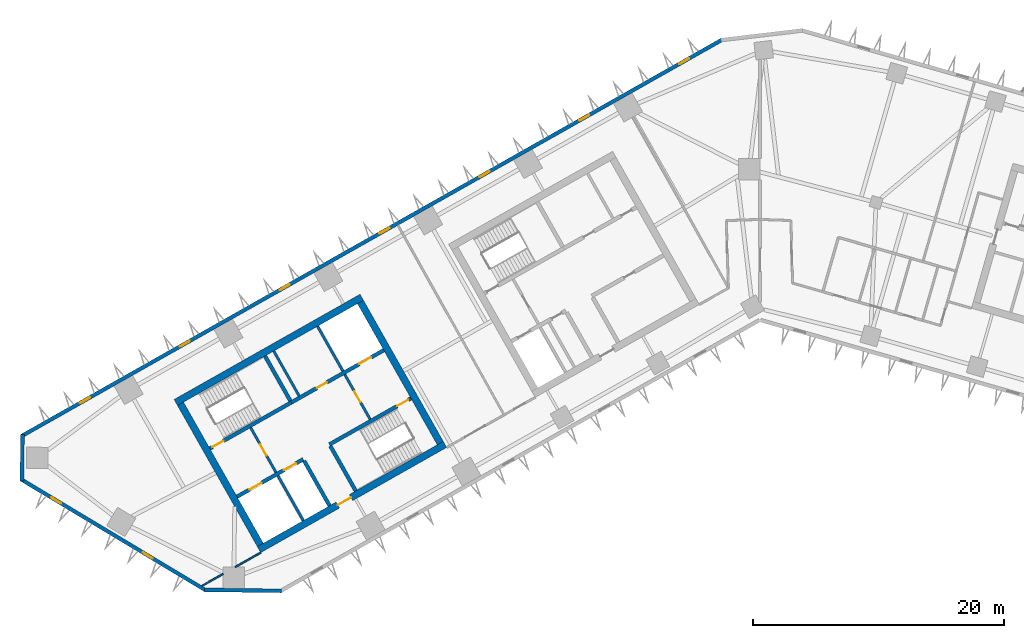
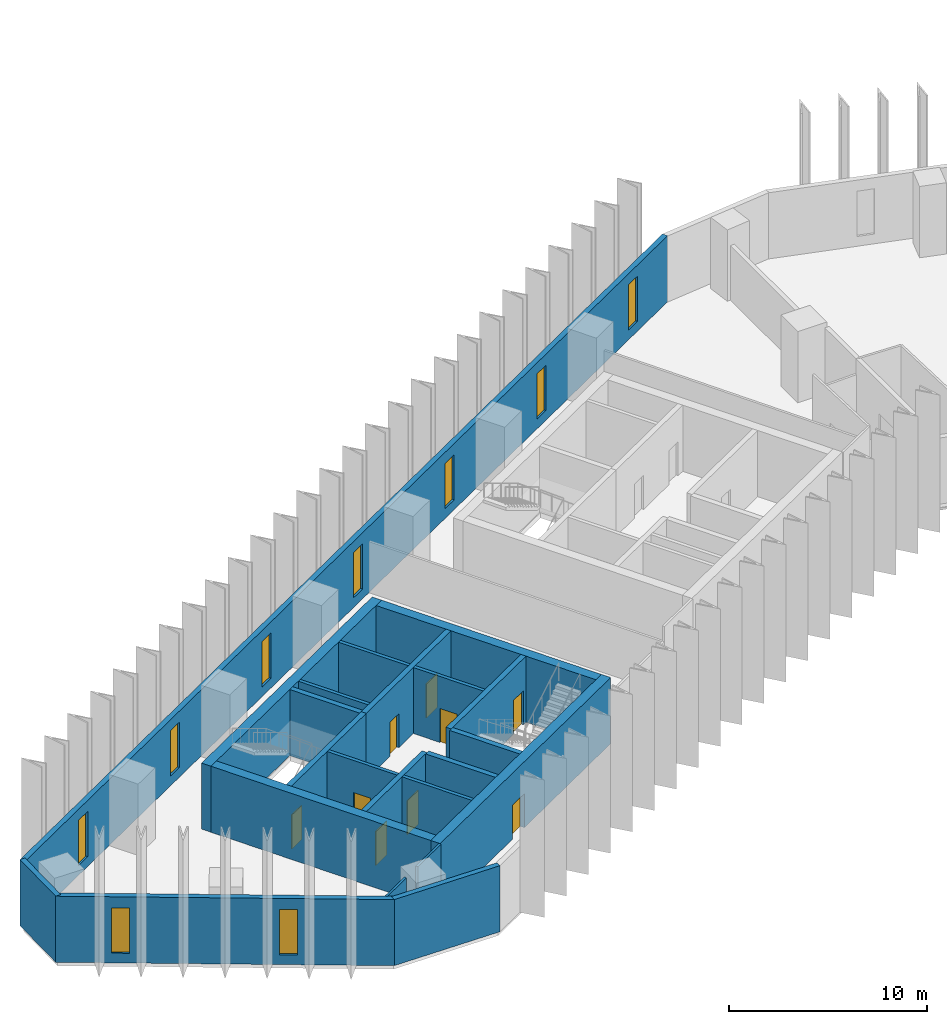
# One storey, part 3 of 11: 22 walls, 9 doors, 9 windows, 18 openings.
"""IFC4 building model written with IfcOpenShell, lengths in metres."""

from ifc_helpers import new_model, si_unit, direction, frame, frame_2d, origin, place, context, subcontext, project, spatial, rectangle, extrude, material, layer, layer_set, type_object, element, fill, save


model = new_model("IFC4")

# Units and contexts
model_context = context("Model", 3, precision=1e-05, world=origin(), true_north=direction((0.0, 1.0)))
body_context = subcontext(model_context, "Body", "Model", "MODEL_VIEW")
ifc_project = project(units=[si_unit("LENGTHUNIT", "METRE"), si_unit("AREAUNIT", "SQUARE_METRE"), si_unit("VOLUMEUNIT", "CUBIC_METRE"), si_unit("PLANEANGLEUNIT", "RADIAN"), si_unit("MASSUNIT", "GRAM", prefix="KILO")], contexts=[model_context])

# Site, building, storey
site_placement = place(None, origin())
site = spatial("IfcSite", under=ifc_project, at=site_placement, CompositionType="ELEMENT")
building_placement = place(site_placement, origin())
building = spatial("IfcBuilding", under=site, at=building_placement, Name="Binnacle Exchange Tower", CompositionType="ELEMENT")
storey_placement = place(building_placement, frame((0.0, 0.0, 105.89990234375)))
storey = spatial("IfcBuildingStorey", under=building, at=storey_placement, Name="L21", CompositionType="ELEMENT", Elevation=105.89990234375)

# Wall, openings, doors
ifc_material_1 = material(Name="Concrete C70/85", Category="concrete")
ifc_layer_1 = layer(ifc_material_1, 0.300048828125)
ifc_layer_set_1 = layer_set([ifc_layer_1], Name="Core wall - front 300")
wall_type_1 = type_object("IfcWallType", Name="Core wall - front 300", PredefinedType="SOLIDWALL", material=ifc_layer_set_1)
wall_1_placement = place(storey_placement, frame((-41.599609375, 33.936279296875, 0.0), z_axis=(0.0, 0.0, 1.0), x_axis=(0.870348557882, 0.492436176365, 0.0)))
wall_1 = element("IfcWall", 1, at=wall_1_placement, inside=storey, type_object=wall_type_1, Name="Core wall CRWA2", PredefinedType="SOLIDWALL", context=body_context, shape_type="SweptSolid", body=[
    extrude(rectangle(XDim=6.050048828125, YDim=0.300048828125, at=frame_2d((3.02490234375, 0.0))), origin(), (0.0, 0.0, 1.0), 4.080078125),
])
opening_1_placement = place(wall_1_placement, frame((1.14990234375, 0.0, 0.0)))
opening_1 = element("IfcOpeningElement", 2, at=opening_1_placement, cuts=wall_1, Name="Opening LD12", PredefinedType="OPENING", context=body_context, shape_type="SweptSolid", body=[
    extrude(rectangle(XDim=1.10009765625, YDim=2.10009765625, at=frame_2d((0.550048828125, 1.050048828125))), frame((0.0, 0.159912109375, 0.0), z_axis=(0.0, -1.0, 0.0), x_axis=(1.0, 0.0, 0.0)), (0.0, 0.0, 1.0), 0.320068359375),
])
opening_2_placement = place(wall_1_placement, frame((4.300048828125, 0.0, 0.0)))
opening_2 = element("IfcOpeningElement", 3, at=opening_2_placement, cuts=wall_1, Name="Opening LD8", PredefinedType="OPENING", context=body_context, shape_type="SweptSolid", body=[
    extrude(rectangle(XDim=1.10009765625, YDim=2.10009765625, at=frame_2d((0.550048828125, 1.050048828125))), frame((0.0, 0.159912109375, 0.0), z_axis=(0.0, -1.0, 0.0), x_axis=(1.0, 0.0, 0.0)), (0.0, 0.0, 1.0), 0.320068359375),
])
ifc_material_2 = material(Name="Steel door leaf", Category="steel")
door_type_1 = type_object("IfcDoorType", Name="Fire door - lift landing 1100", OperationType="NOTDEFINED", PredefinedType="DOOR", material=ifc_material_2)
door_1_placement = place(opening_1_placement, origin())
door_1 = element("IfcDoor", 4, at=door_1_placement, inside=storey, type_object=door_type_1, Name="Landing door LD12 L21", OperationType="DOUBLE_DOOR_SLIDING", OverallHeight=2.10009765625, OverallWidth=1.10009765625, PredefinedType="DOOR", context=body_context, shape_type="SweptSolid", body=[
    extrude(rectangle(XDim=1.10009765625, YDim=2.10009765625, at=frame_2d((0.550048828125, 1.050048828125))), frame((0.0, 0.02490234375, 0.0), z_axis=(0.0, -1.0, 0.0), x_axis=(1.0, 0.0, 0.0)), (0.0, 0.0, 1.0), 0.050048828125),
])
fill(opening_1, door_1)
door_2_placement = place(opening_2_placement, origin())
door_2 = element("IfcDoor", 5, at=door_2_placement, inside=storey, type_object=door_type_1, Name="Landing door LD8 L21", OperationType="DOUBLE_DOOR_SLIDING", OverallHeight=2.10009765625, OverallWidth=1.10009765625, PredefinedType="DOOR", context=body_context, shape_type="SweptSolid", body=[
    extrude(rectangle(XDim=1.10009765625, YDim=2.10009765625, at=frame_2d((0.550048828125, 1.050048828125))), frame((0.0, 0.02490234375, 0.0), z_axis=(0.0, -1.0, 0.0), x_axis=(1.0, 0.0, 0.0)), (0.0, 0.0, 1.0), 0.050048828125),
])
fill(opening_2, door_2)

wall_2_placement = place(storey_placement, frame((-37.281982421875, 41.4345703125, 0.0), z_axis=(0.0, 0.0, 1.0), x_axis=(0.870359895813, 0.492416136779, 0.0)))
wall_2 = element("IfcWall", 6, at=wall_2_placement, inside=storey, type_object=wall_type_1, Name="Core wall CRWA5", PredefinedType="SOLIDWALL", context=body_context, shape_type="SweptSolid", body=[
    extrude(rectangle(XDim=8.449951171875, YDim=0.300048828125, at=frame_2d((4.22509765625, 0.0))), origin(), (0.0, 0.0, 1.0), 4.080078125),
])
opening_3_placement = place(wall_2_placement, frame((6.199951171875, 0.0, 0.0)))
opening_3 = element("IfcOpeningElement", 7, at=opening_3_placement, cuts=wall_2, Name="Opening LD13", PredefinedType="OPENING", context=body_context, shape_type="SweptSolid", body=[
    extrude(rectangle(XDim=1.10009765625, YDim=2.10009765625, at=frame_2d((0.550048828125, 1.050048828125))), frame((0.0, 0.159912109375, 0.0), z_axis=(0.0, -1.0, 0.0), x_axis=(1.0, 0.0, 0.0)), (0.0, 0.0, 1.0), 0.320068359375),
])
opening_4_placement = place(wall_2_placement, frame((2.35009765625, 0.0, 0.0)))
opening_4 = element("IfcOpeningElement", 8, at=opening_4_placement, cuts=wall_2, Name="Opening DA10", PredefinedType="OPENING", context=body_context, shape_type="SweptSolid", body=[
    extrude(rectangle(XDim=0.89990234375, YDim=2.10009765625, at=frame_2d((0.449951171875, 1.050048828125))), frame((0.0, 0.159912109375, 0.0), z_axis=(0.0, -1.0, 0.0), x_axis=(1.0, 0.0, 0.0)), (0.0, 0.0, 1.0), 0.320068359375),
])
door_3_placement = place(opening_3_placement, origin())
door_3 = element("IfcDoor", 9, at=door_3_placement, inside=storey, type_object=door_type_1, Name="Landing door LD13 L21", OperationType="DOUBLE_DOOR_SLIDING", OverallHeight=2.10009765625, OverallWidth=1.10009765625, PredefinedType="DOOR", context=body_context, shape_type="SweptSolid", body=[
    extrude(rectangle(XDim=1.10009765625, YDim=2.10009765625, at=frame_2d((0.550048828125, 1.050048828125))), frame((0.0, 0.02490234375, 0.0), z_axis=(0.0, -1.0, 0.0), x_axis=(1.0, 0.0, 0.0)), (0.0, 0.0, 1.0), 0.050048828125),
])
fill(opening_3, door_3)
door_type_2 = type_object("IfcDoorType", Name="Fire door 900", OperationType="NOTDEFINED", PredefinedType="DOOR", material=ifc_material_2)
door_4_placement = place(opening_4_placement, origin())
door_4 = element("IfcDoor", 10, at=door_4_placement, inside=storey, type_object=door_type_2, Name="Core room door PANTRY", OperationType="SINGLE_SWING_LEFT", OverallHeight=2.10009765625, OverallWidth=0.89990234375, PredefinedType="DOOR", context=body_context, shape_type="SweptSolid", body=[
    extrude(rectangle(XDim=0.89990234375, YDim=2.10009765625, at=frame_2d((0.449951171875, 1.050048828125))), frame((0.0, 0.02490234375, 0.0), z_axis=(0.0, -1.0, 0.0), x_axis=(1.0, 0.0, 0.0)), (0.0, 0.0, 1.0), 0.050048828125),
])
fill(opening_4, door_4)

# Wall
wall_3_placement = place(storey_placement, frame((-36.260009765625, 36.784912109375, 0.0), z_axis=(0.0, 0.0, 1.0), x_axis=(0.492408451753, -0.87036424366, 0.0)))
element("IfcWall", 11, at=wall_3_placement, inside=storey, type_object=wall_type_1, Name="Core wall CRWA13", PredefinedType="SOLIDWALL", context=body_context, shape_type="SweptSolid", body=[
    extrude(rectangle(XDim=4.099853515625, YDim=0.300048828125, at=frame_2d((2.0498046875, 0.0))), origin(), (0.0, 0.0, 1.0), 4.080078125),
])

# Wall, opening, door
ifc_layer_2 = layer(ifc_material_1, 0.550048828125)
ifc_layer_set_2 = layer_set([ifc_layer_2], Name="Core wall - outer 550")
wall_type_2 = type_object("IfcWallType", Name="Core wall - outer 550", PredefinedType="SOLIDWALL", material=ifc_layer_set_2)
wall_4_placement = place(storey_placement, frame((-39.85009765625, 29.727294921875, 0.0), z_axis=(0.0, 0.0, 1.0), x_axis=(0.870359753402, 0.492416388494, 0.0)))
wall_4 = element("IfcWall", 12, at=wall_4_placement, inside=storey, type_object=wall_type_2, Name="Core wall CRWA1", PredefinedType="SOLIDWALL", context=body_context, shape_type="SweptSolid", body=[
    extrude(rectangle(XDim=17.0, YDim=0.550048828125, at=frame_2d((8.5, 0.0))), origin(), (0.0, 0.0, 1.0), 4.080078125),
])
opening_5_placement = place(wall_4_placement, frame((7.199951171875, 0.0, 0.0)))
opening_5 = element("IfcOpeningElement", 13, at=opening_5_placement, cuts=wall_4, Name="Opening DA7", PredefinedType="OPENING", context=body_context, shape_type="SweptSolid", body=[
    extrude(rectangle(XDim=1.199951171875, YDim=2.10009765625, at=frame_2d((0.60009765625, 1.050048828125))), frame((0.0, 0.284912109375, 0.0), z_axis=(0.0, -1.0, 0.0), x_axis=(1.0, 0.0, 0.0)), (0.0, 0.0, 1.0), 0.570068359375),
])
door_type_3 = type_object("IfcDoorType", Name="Fire door 1200", OperationType="NOTDEFINED", PredefinedType="DOOR", material=ifc_material_2)
door_5_placement = place(opening_5_placement, frame((1.199951171875, 0.0, 0.0), z_axis=(0.0, 0.0, 1.0), x_axis=(-1.0, 0.0, 0.0)))
door_5 = element("IfcDoor", 14, at=door_5_placement, inside=storey, type_object=door_type_3, Name="Lift lobby entrance door core A", OperationType="SINGLE_SWING_RIGHT", OverallHeight=2.10009765625, OverallWidth=1.199951171875, PredefinedType="DOOR", context=body_context, shape_type="SweptSolid", body=[
    extrude(rectangle(XDim=1.199951171875, YDim=2.10009765625, at=frame_2d((0.60009765625, 1.050048828125))), frame((0.0, 0.02490234375, 0.0), z_axis=(0.0, -1.0, 0.0), x_axis=(1.0, 0.0, 0.0)), (0.0, 0.0, 1.0), 0.050048828125),
])
fill(opening_5, door_5)

# Walls
wall_5_placement = place(storey_placement, frame((-46.47314453125, 41.43359375, 0.0), z_axis=(0.0, 0.0, 1.0), x_axis=(0.870359753402, 0.492416388494, 0.0)))
element("IfcWall", 15, at=wall_5_placement, inside=storey, type_object=wall_type_2, Name="Core wall CRWA6", PredefinedType="SOLIDWALL", context=body_context, shape_type="SweptSolid", body=[
    extrude(rectangle(XDim=17.0, YDim=0.550048828125, at=frame_2d((8.5, 0.0))), origin(), (0.0, 0.0, 1.0), 4.080078125),
])
wall_6_placement = place(storey_placement, frame((-46.098388671875, 41.32958984375, 0.0), z_axis=(0.0, 0.0, 1.0), x_axis=(0.492418910884, -0.870358326325, 0.0)))
element("IfcWall", 16, at=wall_6_placement, inside=storey, type_object=wall_type_2, Name="Core wall CRWA7", PredefinedType="SOLIDWALL", context=body_context, shape_type="SweptSolid", body=[
    extrude(rectangle(XDim=12.900146484375, YDim=0.550048828125, at=frame_2d((6.4501953125, 0.0))), origin(), (0.0, 0.0, 1.0), 4.080078125),
])
wall_7_placement = place(storey_placement, frame((-31.781005859375, 49.429931640625, 0.0), z_axis=(0.0, 0.0, 1.0), x_axis=(0.492427022044, -0.870353737259, 0.0)))
element("IfcWall", 17, at=wall_7_placement, inside=storey, type_object=wall_type_2, Name="Core wall CRWA22", PredefinedType="SOLIDWALL", context=body_context, shape_type="SweptSolid", body=[
    extrude(rectangle(XDim=12.89990234375, YDim=0.550048828125, at=frame_2d((6.449951171875, 0.0))), origin(), (0.0, 0.0, 1.0), 4.080078125),
])

# Wall, opening, door
ifc_layer_3 = layer(ifc_material_1, 0.300048828125)
ifc_layer_set_3 = layer_set([ifc_layer_3], Name="Core wall - stair 300")
wall_type_3 = type_object("IfcWallType", Name="Core wall - stair 300", PredefinedType="SOLIDWALL", material=ifc_layer_set_3)
wall_8_placement = place(storey_placement, frame((-34.2451171875, 38.097412109375, 0.0), z_axis=(0.0, 0.0, 1.0), x_axis=(0.870360741098, 0.49241464271, 0.0)))
wall_8 = element("IfcWall", 18, at=wall_8_placement, inside=storey, type_object=wall_type_3, Name="Core wall CRWA3", PredefinedType="SOLIDWALL", context=body_context, shape_type="SweptSolid", body=[
    extrude(rectangle(XDim=7.449951171875, YDim=0.300048828125, at=frame_2d((3.72509765625, 0.0))), origin(), (0.0, 0.0, 1.0), 4.080078125),
])
opening_6_placement = place(wall_8_placement, frame((6.199951171875, 0.0, 0.0)))
opening_6 = element("IfcOpeningElement", 19, at=opening_6_placement, cuts=wall_8, Name="Opening DA2", PredefinedType="OPENING", context=body_context, shape_type="SweptSolid", body=[
    extrude(rectangle(XDim=1.0, YDim=2.10009765625, at=frame_2d((0.5, 1.050048828125))), frame((0.0, 0.159912109375, 0.0), z_axis=(0.0, -1.0, 0.0), x_axis=(1.0, 0.0, 0.0)), (0.0, 0.0, 1.0), 0.320068359375),
])
door_type_4 = type_object("IfcDoorType", Name="Fire door 1000", OperationType="NOTDEFINED", PredefinedType="DOOR", material=ifc_material_2)
door_6_placement = place(opening_6_placement, frame((1.0, 0.0, 0.0), z_axis=(0.0, 0.0, 1.0), x_axis=(-1.0, 0.0, 0.0)))
door_6 = element("IfcDoor", 20, at=door_6_placement, inside=storey, type_object=door_type_4, Name="Stair door ST-A2", OperationType="SINGLE_SWING_LEFT", OverallHeight=2.10009765625, OverallWidth=1.0, PredefinedType="DOOR", context=body_context, shape_type="SweptSolid", body=[
    extrude(rectangle(XDim=1.0, YDim=2.10009765625, at=frame_2d((0.5, 1.050048828125))), frame((0.0, 0.02490234375, 0.0), z_axis=(0.0, -1.0, 0.0), x_axis=(1.0, 0.0, 0.0)), (0.0, 0.0, 1.0), 0.050048828125),
])
fill(opening_6, door_6)

wall_9_placement = place(storey_placement, frame((-43.76611328125, 37.765869140625, 0.0), z_axis=(0.0, 0.0, 1.0), x_axis=(0.870346696097, 0.492439466932, 0.0)))
wall_9 = element("IfcWall", 21, at=wall_9_placement, inside=storey, type_object=wall_type_3, Name="Core wall CRWA4", PredefinedType="SOLIDWALL", context=body_context, shape_type="SweptSolid", body=[
    extrude(rectangle(XDim=7.449951171875, YDim=0.300048828125, at=frame_2d((3.72509765625, 0.0))), origin(), (0.0, 0.0, 1.0), 4.080078125),
])
opening_7_placement = place(wall_9_placement, frame((0.25, 0.0, 0.0)))
opening_7 = element("IfcOpeningElement", 22, at=opening_7_placement, cuts=wall_9, Name="Opening DA1", PredefinedType="OPENING", context=body_context, shape_type="SweptSolid", body=[
    extrude(rectangle(XDim=1.0, YDim=2.10009765625, at=frame_2d((0.5, 1.050048828125))), frame((0.0, 0.159912109375, 0.0), z_axis=(0.0, -1.0, 0.0), x_axis=(1.0, 0.0, 0.0)), (0.0, 0.0, 1.0), 0.320068359375),
])
door_7_placement = place(opening_7_placement, origin())
door_7 = element("IfcDoor", 23, at=door_7_placement, inside=storey, type_object=door_type_4, Name="Stair door ST-A1", OperationType="SINGLE_SWING_LEFT", OverallHeight=2.10009765625, OverallWidth=1.0, PredefinedType="DOOR", context=body_context, shape_type="SweptSolid", body=[
    extrude(rectangle(XDim=1.0, YDim=2.10009765625, at=frame_2d((0.5, 1.050048828125))), frame((0.0, 0.02490234375, 0.0), z_axis=(0.0, -1.0, 0.0), x_axis=(1.0, 0.0, 0.0)), (0.0, 0.0, 1.0), 0.050048828125),
])
fill(opening_7, door_7)

# Walls
for number, where, z_axis, x_axis, name in (
    (24, (-39.375, 45.133544921875, 0.0), (0.0, 0.0, 1.0), (0.492428039142, -0.870353161807, 0.0), "Core wall CRWA14"),
    (25, (-34.171142578125, 37.966796875, 0.0), (0.0, 0.0, 1.0), (0.492382931784, -0.870378681085, 0.0), "Core wall CRWA16"),
):
    element("IfcWall", number, at=place(storey_placement, frame(where, z_axis=z_axis, x_axis=x_axis)), inside=storey, type_object=wall_type_3, Name=name, PredefinedType="SOLIDWALL", context=body_context, shape_type="SweptSolid", body=[
        extrude(rectangle(XDim=4.10009765625, YDim=0.300048828125, at=frame_2d((2.050048828125, 0.0))), origin(), (0.0, 0.0, 1.0), 4.080078125),
    ])

# Wall, openings, windows
ifc_material_3 = material(Name="Bronze aluminium cladding", Category="aluminium")
ifc_layer_4 = layer(ifc_material_3, 0.300048828125)
ifc_layer_set_4 = layer_set([ifc_layer_4], Name="External wall - spandrel 300")
wall_type_4 = type_object("IfcWallType", Name="External wall - spandrel 300", PredefinedType="STANDARD", material=ifc_layer_set_4)
wall_10_placement = place(storey_placement, frame((-58.744873046875, 38.763671875, 0.0), z_axis=(0.0, 0.0, 1.0), x_axis=(0.870355811726, 0.492423355453, 0.0)))
wall_10 = element("IfcWall", 26, at=wall_10_placement, inside=storey, type_object=wall_type_4, Name="External wall EW-F03 L21", PredefinedType="STANDARD", context=body_context, shape_type="SweptSolid", body=[
    extrude(rectangle(XDim=64.025390625, YDim=0.300048828125, at=frame_2d((32.0126953125, 0.0))), origin(), (0.0, 0.0, 1.0), 4.080078125),
])
opening_8_placement = place(wall_10_placement, frame((60.12158203125, 0.0, 0.60009765625)))
opening_8 = element("IfcOpeningElement", 27, at=opening_8_placement, cuts=wall_10, Name="Opening WS2", PredefinedType="OPENING", context=body_context, shape_type="SweptSolid", body=[
    extrude(rectangle(XDim=0.89990234375, YDim=2.800048828125, at=frame_2d((0.449951171875, 1.39990234375))), frame((0.0, 0.159912109375, 0.0), z_axis=(0.0, -1.0, 0.0), x_axis=(1.0, 0.0, 0.0)), (0.0, 0.0, 1.0), 0.320068359375),
])
opening_9_placement = place(wall_10_placement, frame((50.99169921875, 0.0, 0.60009765625)))
opening_9 = element("IfcOpeningElement", 28, at=opening_9_placement, cuts=wall_10, Name="Opening WS2", PredefinedType="OPENING", context=body_context, shape_type="SweptSolid", body=[
    extrude(rectangle(XDim=0.89990234375, YDim=2.800048828125, at=frame_2d((0.449951171875, 1.39990234375))), frame((0.0, 0.159912109375, 0.0), z_axis=(0.0, -1.0, 0.0), x_axis=(1.0, 0.0, 0.0)), (0.0, 0.0, 1.0), 0.320068359375),
])
opening_10_placement = place(wall_10_placement, frame((41.86181640625, 0.0, 0.60009765625)))
opening_10 = element("IfcOpeningElement", 29, at=opening_10_placement, cuts=wall_10, Name="Opening WS2", PredefinedType="OPENING", context=body_context, shape_type="SweptSolid", body=[
    extrude(rectangle(XDim=0.89990234375, YDim=2.800048828125, at=frame_2d((0.449951171875, 1.39990234375))), frame((0.0, 0.159912109375, 0.0), z_axis=(0.0, -1.0, 0.0), x_axis=(1.0, 0.0, 0.0)), (0.0, 0.0, 1.0), 0.320068359375),
])
opening_11_placement = place(wall_10_placement, frame((32.73193359375, 0.0, 0.60009765625)))
opening_11 = element("IfcOpeningElement", 30, at=opening_11_placement, cuts=wall_10, Name="Opening WS2", PredefinedType="OPENING", context=body_context, shape_type="SweptSolid", body=[
    extrude(rectangle(XDim=0.89990234375, YDim=2.800048828125, at=frame_2d((0.449951171875, 1.39990234375))), frame((0.0, 0.159912109375, 0.0), z_axis=(0.0, -1.0, 0.0), x_axis=(1.0, 0.0, 0.0)), (0.0, 0.0, 1.0), 0.320068359375),
])
opening_12_placement = place(wall_10_placement, frame((23.60205078125, 0.0, 0.60009765625)))
opening_12 = element("IfcOpeningElement", 31, at=opening_12_placement, cuts=wall_10, Name="Opening WS2", PredefinedType="OPENING", context=body_context, shape_type="SweptSolid", body=[
    extrude(rectangle(XDim=0.89990234375, YDim=2.800048828125, at=frame_2d((0.449951171875, 1.39990234375))), frame((0.0, 0.159912109375, 0.0), z_axis=(0.0, -1.0, 0.0), x_axis=(1.0, 0.0, 0.0)), (0.0, 0.0, 1.0), 0.320068359375),
])
opening_13_placement = place(wall_10_placement, frame((14.47216796875, 0.0, 0.60009765625)))
opening_13 = element("IfcOpeningElement", 32, at=opening_13_placement, cuts=wall_10, Name="Opening WS2", PredefinedType="OPENING", context=body_context, shape_type="SweptSolid", body=[
    extrude(rectangle(XDim=0.89990234375, YDim=2.800048828125, at=frame_2d((0.449951171875, 1.39990234375))), frame((0.0, 0.159912109375, 0.0), z_axis=(0.0, -1.0, 0.0), x_axis=(1.0, 0.0, 0.0)), (0.0, 0.0, 1.0), 0.320068359375),
])
opening_14_placement = place(wall_10_placement, frame((5.34228515625, 0.0, 0.60009765625)))
opening_14 = element("IfcOpeningElement", 33, at=opening_14_placement, cuts=wall_10, Name="Opening WS2", PredefinedType="OPENING", context=body_context, shape_type="SweptSolid", body=[
    extrude(rectangle(XDim=0.89990234375, YDim=2.800048828125, at=frame_2d((0.449951171875, 1.39990234375))), frame((0.0, 0.159912109375, 0.0), z_axis=(0.0, -1.0, 0.0), x_axis=(1.0, 0.0, 0.0)), (0.0, 0.0, 1.0), 0.320068359375),
])
ifc_material_4 = material(Name="Bronze anodised aluminium frame", Category="aluminium")
window_type = type_object("IfcWindowType", Name="WS2 WINDOW 900x2800", PartitioningType="SINGLE_PANEL", PredefinedType="WINDOW", material=ifc_material_4)
window_1_placement = place(opening_8_placement, origin())
window_1 = element("IfcWindow", 34, at=window_1_placement, inside=storey, type_object=window_type, Name="Window WS2 L21", OverallHeight=2.800048828125, OverallWidth=0.89990234375, PartitioningType="SINGLE_PANEL", PredefinedType="WINDOW", context=body_context, shape_type="SweptSolid", body=[
    extrude(rectangle(XDim=0.89990234375, YDim=2.800048828125, at=frame_2d((0.449951171875, 1.39990234375))), frame((0.0, 0.030029296875, 0.0), z_axis=(0.0, -1.0, 0.0), x_axis=(1.0, 0.0, 0.0)), (0.0, 0.0, 1.0), 0.06005859375),
])
fill(opening_8, window_1)
window_2_placement = place(opening_9_placement, origin())
window_2 = element("IfcWindow", 35, at=window_2_placement, inside=storey, type_object=window_type, Name="Window WS2 L21", OverallHeight=2.800048828125, OverallWidth=0.89990234375, PartitioningType="SINGLE_PANEL", PredefinedType="WINDOW", context=body_context, shape_type="SweptSolid", body=[
    extrude(rectangle(XDim=0.89990234375, YDim=2.800048828125, at=frame_2d((0.449951171875, 1.39990234375))), frame((0.0, 0.030029296875, 0.0), z_axis=(0.0, -1.0, 0.0), x_axis=(1.0, 0.0, 0.0)), (0.0, 0.0, 1.0), 0.06005859375),
])
fill(opening_9, window_2)
window_3_placement = place(opening_10_placement, origin())
window_3 = element("IfcWindow", 36, at=window_3_placement, inside=storey, type_object=window_type, Name="Window WS2 L21", OverallHeight=2.800048828125, OverallWidth=0.89990234375, PartitioningType="SINGLE_PANEL", PredefinedType="WINDOW", context=body_context, shape_type="SweptSolid", body=[
    extrude(rectangle(XDim=0.89990234375, YDim=2.800048828125, at=frame_2d((0.449951171875, 1.39990234375))), frame((0.0, 0.030029296875, 0.0), z_axis=(0.0, -1.0, 0.0), x_axis=(1.0, 0.0, 0.0)), (0.0, 0.0, 1.0), 0.06005859375),
])
fill(opening_10, window_3)
window_4_placement = place(opening_11_placement, origin())
window_4 = element("IfcWindow", 37, at=window_4_placement, inside=storey, type_object=window_type, Name="Window WS2 L21", OverallHeight=2.800048828125, OverallWidth=0.89990234375, PartitioningType="SINGLE_PANEL", PredefinedType="WINDOW", context=body_context, shape_type="SweptSolid", body=[
    extrude(rectangle(XDim=0.89990234375, YDim=2.800048828125, at=frame_2d((0.449951171875, 1.39990234375))), frame((0.0, 0.030029296875, 0.0), z_axis=(0.0, -1.0, 0.0), x_axis=(1.0, 0.0, 0.0)), (0.0, 0.0, 1.0), 0.06005859375),
])
fill(opening_11, window_4)
window_5_placement = place(opening_12_placement, origin())
window_5 = element("IfcWindow", 38, at=window_5_placement, inside=storey, type_object=window_type, Name="Window WS2 L21", OverallHeight=2.800048828125, OverallWidth=0.89990234375, PartitioningType="SINGLE_PANEL", PredefinedType="WINDOW", context=body_context, shape_type="SweptSolid", body=[
    extrude(rectangle(XDim=0.89990234375, YDim=2.800048828125, at=frame_2d((0.449951171875, 1.39990234375))), frame((0.0, 0.030029296875, 0.0), z_axis=(0.0, -1.0, 0.0), x_axis=(1.0, 0.0, 0.0)), (0.0, 0.0, 1.0), 0.06005859375),
])
fill(opening_12, window_5)
window_6_placement = place(opening_13_placement, origin())
window_6 = element("IfcWindow", 39, at=window_6_placement, inside=storey, type_object=window_type, Name="Window WS2 L21", OverallHeight=2.800048828125, OverallWidth=0.89990234375, PartitioningType="SINGLE_PANEL", PredefinedType="WINDOW", context=body_context, shape_type="SweptSolid", body=[
    extrude(rectangle(XDim=0.89990234375, YDim=2.800048828125, at=frame_2d((0.449951171875, 1.39990234375))), frame((0.0, 0.030029296875, 0.0), z_axis=(0.0, -1.0, 0.0), x_axis=(1.0, 0.0, 0.0)), (0.0, 0.0, 1.0), 0.06005859375),
])
fill(opening_13, window_6)
window_7_placement = place(opening_14_placement, origin())
window_7 = element("IfcWindow", 40, at=window_7_placement, inside=storey, type_object=window_type, Name="Window WS2 L21", OverallHeight=2.800048828125, OverallWidth=0.89990234375, PartitioningType="SINGLE_PANEL", PredefinedType="WINDOW", context=body_context, shape_type="SweptSolid", body=[
    extrude(rectangle(XDim=0.89990234375, YDim=2.800048828125, at=frame_2d((0.449951171875, 1.39990234375))), frame((0.0, 0.030029296875, 0.0), z_axis=(0.0, -1.0, 0.0), x_axis=(1.0, 0.0, 0.0)), (0.0, 0.0, 1.0), 0.06005859375),
])
fill(opening_14, window_7)

# Wall
wall_11_placement = place(storey_placement, frame((-58.717041015625, 35.19384765625, 0.0), z_axis=(0.0, 0.0, 1.0), x_axis=(0.013069053407, 0.999914596275, 0.0)))
element("IfcWall", 41, at=wall_11_placement, inside=storey, type_object=wall_type_4, Name="External wall EW-F04 L21", PredefinedType="STANDARD", context=body_context, shape_type="SweptSolid", body=[
    extrude(rectangle(XDim=3.69873046875, YDim=0.300048828125, at=frame_2d((1.849365234375, 0.0))), origin(), (0.0, 0.0, 1.0), 4.080078125),
])

# Wall, openings, windows
wall_12_placement = place(storey_placement, frame((-44.109375, 26.503662109375, 0.0), z_axis=(0.0, 0.0, 1.0), x_axis=(-0.857169502585, 0.515034410344, 0.0)))
wall_12 = element("IfcWall", 42, at=wall_12_placement, inside=storey, type_object=wall_type_4, Name="External wall EW-F05 L21", PredefinedType="STANDARD", context=body_context, shape_type="SweptSolid", body=[
    extrude(rectangle(XDim=17.126708984375, YDim=0.300048828125, at=frame_2d((8.5634765625, 0.0))), origin(), (0.0, 0.0, 1.0), 4.080078125),
])
opening_15_placement = place(wall_12_placement, frame((13.403076171875, 0.0, 0.60009765625)))
opening_15 = element("IfcOpeningElement", 43, at=opening_15_placement, cuts=wall_12, Name="Opening WS2", PredefinedType="OPENING", context=body_context, shape_type="SweptSolid", body=[
    extrude(rectangle(XDim=0.89990234375, YDim=2.800048828125, at=frame_2d((0.449951171875, 1.39990234375))), frame((0.0, 0.159912109375, 0.0), z_axis=(0.0, -1.0, 0.0), x_axis=(1.0, 0.0, 0.0)), (0.0, 0.0, 1.0), 0.320068359375),
])
opening_16_placement = place(wall_12_placement, frame((4.903076171875, 0.0, 0.60009765625)))
opening_16 = element("IfcOpeningElement", 44, at=opening_16_placement, cuts=wall_12, Name="Opening WS2", PredefinedType="OPENING", context=body_context, shape_type="SweptSolid", body=[
    extrude(rectangle(XDim=0.89990234375, YDim=2.800048828125, at=frame_2d((0.449951171875, 1.39990234375))), frame((0.0, 0.159912109375, 0.0), z_axis=(0.0, -1.0, 0.0), x_axis=(1.0, 0.0, 0.0)), (0.0, 0.0, 1.0), 0.320068359375),
])
window_8_placement = place(opening_15_placement, origin())
window_8 = element("IfcWindow", 45, at=window_8_placement, inside=storey, type_object=window_type, Name="Window WS2 L21", OverallHeight=2.800048828125, OverallWidth=0.89990234375, PartitioningType="SINGLE_PANEL", PredefinedType="WINDOW", context=body_context, shape_type="SweptSolid", body=[
    extrude(rectangle(XDim=0.89990234375, YDim=2.800048828125, at=frame_2d((0.449951171875, 1.39990234375))), frame((0.0, 0.030029296875, 0.0), z_axis=(0.0, -1.0, 0.0), x_axis=(1.0, 0.0, 0.0)), (0.0, 0.0, 1.0), 0.06005859375),
])
fill(opening_15, window_8)
window_9_placement = place(opening_16_placement, origin())
window_9 = element("IfcWindow", 46, at=window_9_placement, inside=storey, type_object=window_type, Name="Window WS2 L21", OverallHeight=2.800048828125, OverallWidth=0.89990234375, PartitioningType="SINGLE_PANEL", PredefinedType="WINDOW", context=body_context, shape_type="SweptSolid", body=[
    extrude(rectangle(XDim=0.89990234375, YDim=2.800048828125, at=frame_2d((0.449951171875, 1.39990234375))), frame((0.0, 0.030029296875, 0.0), z_axis=(0.0, -1.0, 0.0), x_axis=(1.0, 0.0, 0.0)), (0.0, 0.0, 1.0), 0.06005859375),
])
fill(opening_16, window_9)

# Wall
wall_13_placement = place(storey_placement, frame((-38.057373046875, 26.44482421875, 0.0), z_axis=(0.0, 0.0, 1.0), x_axis=(-0.999914086342, 0.013108010296, 0.0)))
element("IfcWall", 47, at=wall_13_placement, inside=storey, type_object=wall_type_4, Name="External wall EW-F06 L21", PredefinedType="STANDARD", context=body_context, shape_type="SweptSolid", body=[
    extrude(rectangle(XDim=6.127685546875, YDim=0.300048828125, at=frame_2d((3.06396484375, 0.0))), origin(), (0.0, 0.0, 1.0), 4.080078125),
])

# Wall, opening, door
ifc_material_5 = material(Name="Masonry block wall", Category="masonry")
ifc_layer_5 = layer(ifc_material_5, 0.199951171875)
ifc_layer_set_5 = layer_set([ifc_layer_5], Name="Fire wall - vestibule 200")
wall_type_5 = type_object("IfcWallType", Name="Fire wall - vestibule 200", PredefinedType="PARTITIONING", material=ifc_layer_set_5)
wall_14_placement = place(storey_placement, frame((-40.515625, 39.4326171875, 0.0), z_axis=(0.0, 0.0, 1.0), x_axis=(0.492453559952, -0.87033872216, 0.0)))
wall_14 = element("IfcWall", 48, at=wall_14_placement, inside=storey, type_object=wall_type_5, Name="Core wall CRWA10", PredefinedType="PARTITIONING", context=body_context, shape_type="SweptSolid", body=[
    extrude(rectangle(XDim=4.099853515625, YDim=0.199951171875, at=frame_2d((2.0498046875, 0.0))), origin(), (0.0, 0.0, 1.0), 4.080078125),
])
opening_17_placement = place(wall_14_placement, frame((1.550048828125, 0.0, 0.0)))
opening_17 = element("IfcOpeningElement", 49, at=opening_17_placement, cuts=wall_14, Name="Opening DA3", PredefinedType="OPENING", context=body_context, shape_type="SweptSolid", body=[
    extrude(rectangle(XDim=1.0, YDim=2.10009765625, at=frame_2d((0.5, 1.050048828125))), frame((0.0, 0.10986328125, 0.0), z_axis=(0.0, -1.0, 0.0), x_axis=(1.0, 0.0, 0.0)), (0.0, 0.0, 1.0), 0.219970703125),
])
door_8_placement = place(opening_17_placement, frame((1.0, 0.0, 0.0), z_axis=(0.0, 0.0, 1.0), x_axis=(-1.0, 0.0, 0.0)))
door_8 = element("IfcDoor", 50, at=door_8_placement, inside=storey, type_object=door_type_4, Name="Vestibule door VEST-W", OperationType="SINGLE_SWING_LEFT", OverallHeight=2.10009765625, OverallWidth=1.0, PredefinedType="DOOR", context=body_context, shape_type="SweptSolid", body=[
    extrude(rectangle(XDim=1.0, YDim=2.10009765625, at=frame_2d((0.5, 1.050048828125))), frame((0.0, 0.02490234375, 0.0), z_axis=(0.0, -1.0, 0.0), x_axis=(1.0, 0.0, 0.0)), (0.0, 0.0, 1.0), 0.050048828125),
])
fill(opening_17, door_8)

wall_15_placement = place(storey_placement, frame((-33.030517578125, 43.66748046875, 0.0), z_axis=(0.0, 0.0, 1.0), x_axis=(0.492408451753, -0.87036424366, 0.0)))
wall_15 = element("IfcWall", 51, at=wall_15_placement, inside=storey, type_object=wall_type_5, Name="Core wall CRWA19", PredefinedType="PARTITIONING", context=body_context, shape_type="SweptSolid", body=[
    extrude(rectangle(XDim=4.099853515625, YDim=0.199951171875, at=frame_2d((2.0498046875, 0.0))), origin(), (0.0, 0.0, 1.0), 4.080078125),
])
opening_18_placement = place(wall_15_placement, frame((1.550048828125, 0.0, 0.0)))
opening_18 = element("IfcOpeningElement", 52, at=opening_18_placement, cuts=wall_15, Name="Opening DA4", PredefinedType="OPENING", context=body_context, shape_type="SweptSolid", body=[
    extrude(rectangle(XDim=1.0, YDim=2.10009765625, at=frame_2d((0.5, 1.050048828125))), frame((0.0, 0.10986328125, 0.0), z_axis=(0.0, -1.0, 0.0), x_axis=(1.0, 0.0, 0.0)), (0.0, 0.0, 1.0), 0.219970703125),
])
door_9_placement = place(opening_18_placement, origin())
door_9 = element("IfcDoor", 53, at=door_9_placement, inside=storey, type_object=door_type_4, Name="Vestibule door VEST-E", OperationType="SINGLE_SWING_RIGHT", OverallHeight=2.10009765625, OverallWidth=1.0, PredefinedType="DOOR", context=body_context, shape_type="SweptSolid", body=[
    extrude(rectangle(XDim=1.0, YDim=2.10009765625, at=frame_2d((0.5, 1.050048828125))), frame((0.0, 0.02490234375, 0.0), z_axis=(0.0, -1.0, 0.0), x_axis=(1.0, 0.0, 0.0)), (0.0, 0.0, 1.0), 0.050048828125),
])
fill(opening_18, door_9)

# Walls
ifc_material_6 = material(Name="Gypsum partition")
ifc_layer_6 = layer(ifc_material_6, 0.125)
ifc_layer_set_6 = layer_set([ifc_layer_6], Name="Partition 125")
wall_type_6 = type_object("IfcWallType", Name="Partition 125", PredefinedType="PARTITIONING", material=ifc_layer_set_6)
wall_16_placement = place(storey_placement, frame((-44.385986328125, 26.844970703125, 0.0), z_axis=(0.0, 0.0, 1.0), x_axis=(0.870226201187, 0.492652371118, 0.0)))
element("IfcWall", 54, at=wall_16_placement, inside=storey, type_object=wall_type_6, Name="Partition W01", PredefinedType="PARTITIONING", context=body_context, shape_type="SweptSolid", body=[
    extrude(rectangle(XDim=1.9326171875, YDim=0.125, at=frame_2d((0.96630859375, 0.0))), origin(), (0.0, 0.0, 1.0), 4.080078125),
])
wall_17_placement = place(storey_placement, frame((-41.738037109375, 28.343017578125, 0.0), z_axis=(0.0, 0.0, 1.0), x_axis=(0.870265350095, 0.492583211676, 0.0)))
element("IfcWall", 55, at=wall_17_placement, inside=storey, type_object=wall_type_6, Name="Partition W02", PredefinedType="PARTITIONING", context=body_context, shape_type="SweptSolid", body=[
    extrude(rectangle(XDim=2.324462890625, YDim=0.125, at=frame_2d((1.162109375, 0.0))), origin(), (0.0, 0.0, 1.0), 4.080078125),
])
ifc_layer_7 = layer(ifc_material_5, 0.199951171875)
ifc_layer_set_7 = layer_set([ifc_layer_7], Name="Riser wall 200")
wall_type_7 = type_object("IfcWallType", Name="Riser wall 200", PredefinedType="SOLIDWALL", material=ifc_layer_set_7)
wall_18_placement = place(storey_placement, frame((-38.6787109375, 45.52734375, 0.0), z_axis=(0.0, 0.0, 1.0), x_axis=(0.492453559952, -0.87033872216, 0.0)))
element("IfcWall", 56, at=wall_18_placement, inside=storey, type_object=wall_type_7, Name="Core wall CRWA15", PredefinedType="SOLIDWALL", context=body_context, shape_type="SweptSolid", body=[
    extrude(rectangle(XDim=4.099853515625, YDim=0.199951171875, at=frame_2d((2.0498046875, 0.0))), origin(), (0.0, 0.0, 1.0), 4.080078125),
])
ifc_layer_8 = layer(ifc_material_5, 0.199951171875)
ifc_layer_set_8 = layer_set([ifc_layer_8], Name="Shaft wall 200")
wall_type_8 = type_object("IfcWallType", Name="Shaft wall 200", PredefinedType="SOLIDWALL", material=ifc_layer_set_8)
wall_19_placement = place(storey_placement, frame((-38.348876953125, 35.603271484375, 0.0), z_axis=(0.0, 0.0, 1.0), x_axis=(0.492382931784, -0.870378681085, 0.0)))
element("IfcWall", 57, at=wall_19_placement, inside=storey, type_object=wall_type_8, Name="Core wall CRWA9", PredefinedType="SOLIDWALL", context=body_context, shape_type="SweptSolid", body=[
    extrude(rectangle(XDim=4.10009765625, YDim=0.199951171875, at=frame_2d((2.050048828125, 0.0))), origin(), (0.0, 0.0, 1.0), 4.080078125),
])
wall_20_placement = place(storey_placement, frame((-35.197265625, 47.4970703125, 0.0), z_axis=(0.0, 0.0, 1.0), x_axis=(0.492453559952, -0.87033872216, 0.0)))
element("IfcWall", 58, at=wall_20_placement, inside=storey, type_object=wall_type_8, Name="Core wall CRWA21", PredefinedType="SOLIDWALL", context=body_context, shape_type="SweptSolid", body=[
    extrude(rectangle(XDim=4.099853515625, YDim=0.199951171875, at=frame_2d((2.0498046875, 0.0))), origin(), (0.0, 0.0, 1.0), 4.080078125),
])

save(model, "model.ifc")
